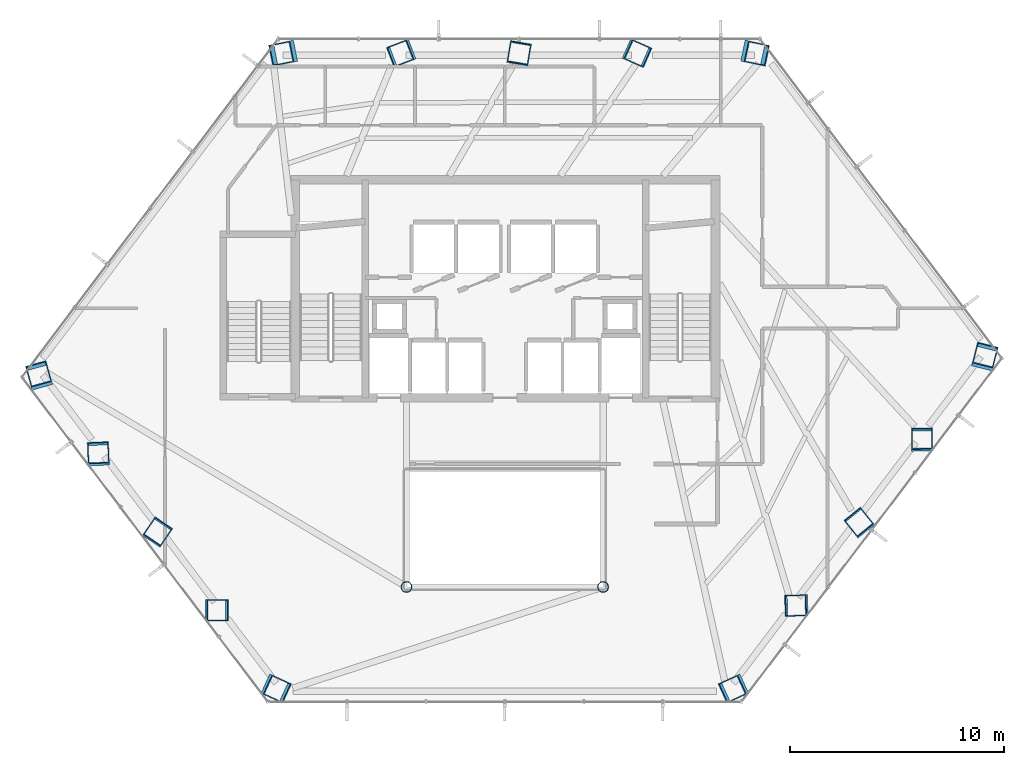
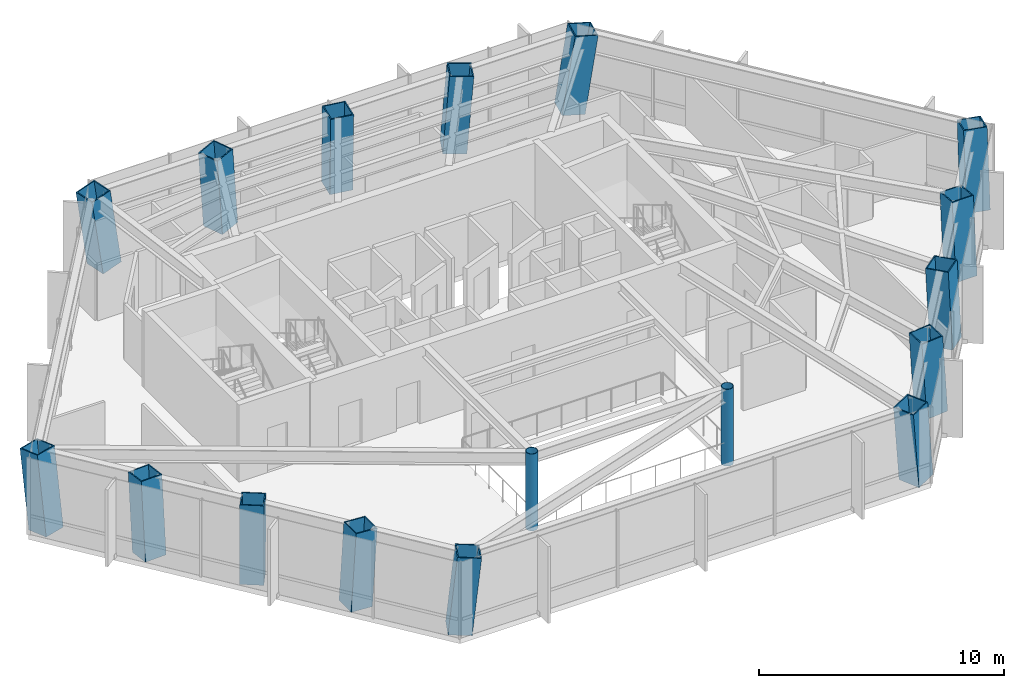
# One storey, part 1 of 27: 17 columns.
"""IFC4 building model written with IfcOpenShell, lengths in metres."""

from ifc_helpers import new_model, si_unit, direction, frame, origin, origin_2d, place, context, subcontext, project, spatial, hollow_rectangle, hollow_circle, extrude, material, material_profile, profile_set, type_object, element, save


model = new_model("IFC4")

# Units and contexts
model_context = context("Model", 3, precision=1e-05, world=origin(), true_north=direction((0.0, 1.0)))
body_context = subcontext(model_context, "Body", "Model", "MODEL_VIEW")
ifc_project = project(units=[si_unit("LENGTHUNIT", "METRE"), si_unit("AREAUNIT", "SQUARE_METRE"), si_unit("VOLUMEUNIT", "CUBIC_METRE"), si_unit("PLANEANGLEUNIT", "RADIAN"), si_unit("MASSUNIT", "GRAM", prefix="KILO")], contexts=[model_context])

# Site, building, storey
site_placement = place(None, origin())
site = spatial("IfcSite", under=ifc_project, at=site_placement, CompositionType="ELEMENT")
building_placement = place(site_placement, origin())
building = spatial("IfcBuilding", under=site, at=building_placement, Name="Zarrinselat Tower", CompositionType="ELEMENT")
storey_placement = place(building_placement, frame((0.0, 0.0, 47.93994140625)))
storey = spatial("IfcBuildingStorey", under=building, at=storey_placement, Name="L11", CompositionType="ELEMENT", Elevation=47.93994140625)

# Columns
ifc_material_1 = material(Name="Steel S355J2", Category="steel")
ifc_material_profile_1 = material_profile(ifc_material_1, hollow_circle(Radius=0.25390625, WallThickness=0.02001953125, at=origin_2d()), Name="CHS 508x20")
ifc_profile_set_1 = profile_set([ifc_material_profile_1], Name="Steel S355J2")
column_type_1 = type_object("IfcColumnType", Name="COL-CHS508", PredefinedType="COLUMN", material=ifc_profile_set_1)
for number, where, z_axis, x_axis, name in (
    (1, (33.800048828125, 24.39990234375, 0.0), (0.0, 0.0, 1.0), (1.0, 0.0, 0.0), "L11 Atrium Corner Column 1"),
    (2, (43.0, 24.39990234375, 0.0), (0.0, 0.0, 1.0), (1.0, 0.0, 0.0), "L11 Atrium Corner Column 2"),
):
    element("IfcColumn", number, at=place(storey_placement, frame(where, z_axis=z_axis, x_axis=x_axis)), inside=storey, type_object=column_type_1, Name=name, PredefinedType="COLUMN", context=body_context, shape_type="SweptSolid", body=[
        extrude(hollow_circle(Radius=0.25390625, WallThickness=0.02001953125, at=origin_2d()), origin(), (0.0, 0.0, 1.0), 3.820068359375),
    ])
ifc_material_2 = material(Name="Steel S460M", Category="steel")
ifc_material_profile_2 = material_profile(ifc_material_2, hollow_rectangle(XDim=1.0, YDim=1.0, WallThickness=0.050048828125, at=origin_2d()), Name="SHS 1000x1000x50")
ifc_profile_set_2 = profile_set([ifc_material_profile_2], Name="Steel S460M")
column_type_2 = type_object("IfcColumnType", Name="COL-SHS1000", PredefinedType="COLUMN", material=ifc_profile_set_2)
column_1_placement = place(storey_placement, frame((50.0263671875, 49.394287109375, 0.0), z_axis=(0.14189700724, -0.030162599133, 0.989421779096), x_axis=(0.207921314521, 0.978145555103, 0.0)))
element("IfcColumn", 3, at=column_1_placement, inside=storey, type_object=column_type_2, Name="L11 Framed-Tube Column T01", PredefinedType="COLUMN", context=body_context, shape_type="SweptSolid", body=[
    extrude(hollow_rectangle(XDim=1.0, YDim=1.0, WallThickness=0.050048828125, at=origin_2d()), origin(), (0.0, 0.0, 1.0), 3.86083984375),
])
column_2_placement = place(storey_placement, frame((44.55029296875, 49.394287109375, 0.0), z_axis=(0.068890587168, -0.030398529213, 0.997160978188), x_axis=(0.403702715675, 0.914890221478, 0.0)))
element("IfcColumn", 4, at=column_2_placement, inside=storey, type_object=column_type_2, Name="L11 Framed-Tube Column T02", PredefinedType="COLUMN", context=body_context, shape_type="SweptSolid", body=[
    extrude(hollow_rectangle(XDim=1.0, YDim=1.0, WallThickness=0.050048828125, at=origin_2d()), origin(), (0.0, 0.0, 1.0), 3.8310546875),
])
column_3_placement = place(storey_placement, frame((39.07421875, 49.394287109375, 0.0), z_axis=(-0.005238115879, -0.030470503347, 0.999521941014), x_axis=(0.985543500785, -0.169422572462, 0.0)))
element("IfcColumn", 5, at=column_3_placement, inside=storey, type_object=column_type_2, Name="L11 Framed-Tube Column T03", PredefinedType="COLUMN", context=body_context, shape_type="SweptSolid", body=[
    extrude(hollow_rectangle(XDim=1.0, YDim=1.0, WallThickness=0.050048828125, at=origin_2d()), origin(), (0.0, 0.0, 1.0), 3.82177734375),
])
column_4_placement = place(storey_placement, frame((33.59814453125, 49.394287109375, 0.0), z_axis=(-0.079217404517, -0.030375162343, 0.996394476266), x_axis=(0.358023264849, -0.93371266556, 0.0)))
element("IfcColumn", 6, at=column_4_placement, inside=storey, type_object=column_type_2, Name="L11 Framed-Tube Column T04", PredefinedType="COLUMN", context=body_context, shape_type="SweptSolid", body=[
    extrude(hollow_rectangle(XDim=1.0, YDim=1.0, WallThickness=0.050048828125, at=origin_2d()), origin(), (0.0, 0.0, 1.0), 3.833984375),
])
column_5_placement = place(storey_placement, frame((28.1220703125, 49.394287109375, 0.0), z_axis=(-0.151973974665, -0.030116986255, 0.987925542824), x_axis=(0.194391667853, -0.980923992708, 0.0)))
element("IfcColumn", 7, at=column_5_placement, inside=storey, type_object=column_type_2, Name="L11 Framed-Tube Column T05", PredefinedType="COLUMN", context=body_context, shape_type="SweptSolid", body=[
    extrude(hollow_rectangle(XDim=1.0, YDim=1.0, WallThickness=0.050048828125, at=origin_2d()), origin(), (0.0, 0.0, 1.0), 3.86669921875),
])
column_6_placement = place(storey_placement, frame((16.627197265625, 34.220947265625, 0.0), z_axis=(-0.034980303487, 0.124902496689, 0.991552189594), x_axis=(-0.962948796031, -0.269684289908, 0.0)))
element("IfcColumn", 8, at=column_6_placement, inside=storey, type_object=column_type_2, Name="L11 Framed-Tube Column T06", PredefinedType="COLUMN", context=body_context, shape_type="SweptSolid", body=[
    extrude(hollow_rectangle(XDim=1.0, YDim=1.0, WallThickness=0.050048828125, at=origin_2d()), origin(), (0.0, 0.0, 1.0), 3.8525390625),
])
column_7_placement = place(storey_placement, frame((19.382568359375, 30.583984375, 0.0), z_axis=(-0.003439033589, 0.083619464868, 0.996491825427), x_axis=(-0.999155348497, -0.041092451499, 0.0)))
element("IfcColumn", 9, at=column_7_placement, inside=storey, type_object=column_type_2, Name="L11 Framed-Tube Column T07", PredefinedType="COLUMN", context=body_context, shape_type="SweptSolid", body=[
    extrude(hollow_rectangle(XDim=1.0, YDim=1.0, WallThickness=0.050048828125, at=origin_2d()), origin(), (0.0, 0.0, 1.0), 3.83349609375),
])
column_8_placement = place(storey_placement, frame((22.1376953125, 26.947021484375, 0.0), z_axis=(0.028403606435, 0.041807555539, 0.998721864906), x_axis=(-0.827161312957, 0.561964556131, 0.0)))
element("IfcColumn", 10, at=column_8_placement, inside=storey, type_object=column_type_2, Name="L11 Framed-Tube Column T08", PredefinedType="COLUMN", context=body_context, shape_type="SweptSolid", body=[
    extrude(hollow_rectangle(XDim=1.0, YDim=1.0, WallThickness=0.050048828125, at=origin_2d()), origin(), (0.0, 0.0, 1.0), 3.824951171875),
])
column_9_placement = place(storey_placement, frame((24.89306640625, 23.309814453125, 0.0), z_axis=(0.060157991613, -0.000127588529, 0.998188859769), x_axis=(0.002120886004, 0.999997750919, 0.0)))
element("IfcColumn", 11, at=column_9_placement, inside=storey, type_object=column_type_2, Name="L11 Framed-Tube Column T09", PredefinedType="COLUMN", context=body_context, shape_type="SweptSolid", body=[
    extrude(hollow_rectangle(XDim=1.0, YDim=1.0, WallThickness=0.050048828125, at=origin_2d()), origin(), (0.0, 0.0, 1.0), 3.826904296875),
])
for number, where, z_axis, x_axis, name in (
    (12, (27.6484375, 19.6728515625, 0.0), (0.09168851636, -0.041965617752, 0.994903062059), (0.416176974952, 0.909283633153, 0.0), "L11 Framed-Tube Column T10"),
    (13, (49.151611328125, 19.6728515625, 0.0), (-0.09168851636, -0.041965617752, 0.994903062059), (0.416176974952, -0.909283633153, 0.0), "L11 Framed-Tube Column T11"),
):
    element("IfcColumn", number, at=place(storey_placement, frame(where, z_axis=z_axis, x_axis=x_axis)), inside=storey, type_object=column_type_2, Name=name, PredefinedType="COLUMN", context=body_context, shape_type="SweptSolid", body=[
        extrude(hollow_rectangle(XDim=1.0, YDim=1.0, WallThickness=0.050048828125, at=origin_2d()), origin(), (0.0, 0.0, 1.0), 3.839599609375),
    ])
column_10_placement = place(storey_placement, frame((52.075439453125, 23.532470703125, 0.0), z_axis=(-0.061492548254, -0.001913668514, 0.99810570802), x_axis=(0.031105273255, -0.999516113915, 0.0)))
element("IfcColumn", 14, at=column_10_placement, inside=storey, type_object=column_type_2, Name="L11 Framed-Tube Column T12", PredefinedType="COLUMN", context=body_context, shape_type="SweptSolid", body=[
    extrude(hollow_rectangle(XDim=1.0, YDim=1.0, WallThickness=0.050048828125, at=origin_2d()), origin(), (0.0, 0.0, 1.0), 3.827392578125),
])
column_11_placement = place(storey_placement, frame((54.999267578125, 27.391845703125, 0.0), z_axis=(-0.031022365831, 0.038426881133, 0.998779749306), x_axis=(-0.778086956405, -0.628156579423, 0.0)))
element("IfcColumn", 15, at=column_11_placement, inside=storey, type_object=column_type_2, Name="L11 Framed-Tube Column T13", PredefinedType="COLUMN", context=body_context, shape_type="SweptSolid", body=[
    extrude(hollow_rectangle(XDim=1.0, YDim=1.0, WallThickness=0.050048828125, at=origin_2d()), origin(), (0.0, 0.0, 1.0), 3.82470703125),
])
column_12_placement = place(storey_placement, frame((57.923095703125, 31.25146484375, 0.0), z_axis=(-0.000445987498, 0.078557512188, 0.996909483541), x_axis=(-0.999983885033, -0.005677118569, 0.0)))
element("IfcColumn", 16, at=column_12_placement, inside=storey, type_object=column_type_2, Name="L11 Framed-Tube Column T14", PredefinedType="COLUMN", context=body_context, shape_type="SweptSolid", body=[
    extrude(hollow_rectangle(XDim=1.0, YDim=1.0, WallThickness=0.050048828125, at=origin_2d()), origin(), (0.0, 0.0, 1.0), 3.83203125),
])
column_13_placement = place(storey_placement, frame((60.84716796875, 35.111083984375, 0.0), z_axis=(0.029813773145, 0.11817672206, 0.992544911475), x_axis=(-0.969619804891, 0.244616912667, 0.0)))
element("IfcColumn", 17, at=column_13_placement, inside=storey, type_object=column_type_2, Name="L11 Framed-Tube Column T15", PredefinedType="COLUMN", context=body_context, shape_type="SweptSolid", body=[
    extrude(hollow_rectangle(XDim=1.0, YDim=1.0, WallThickness=0.050048828125, at=origin_2d()), origin(), (0.0, 0.0, 1.0), 3.848876953125),
])

save(model, "model.ifc")
